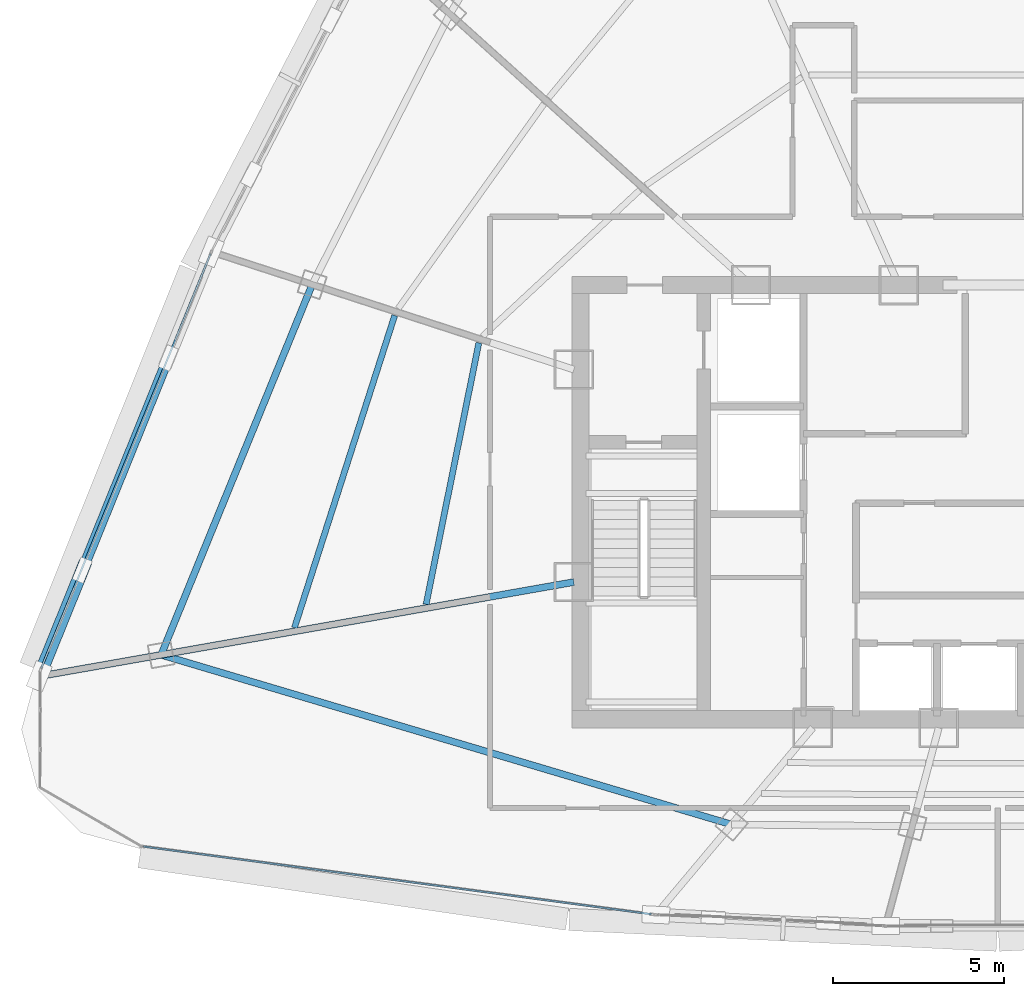
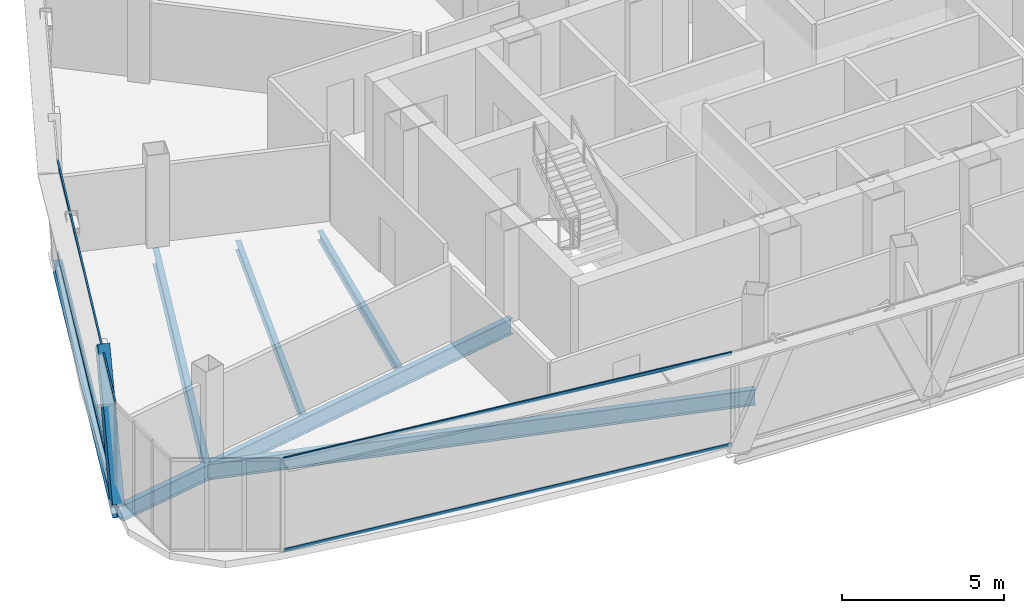
# One storey, part 3 of 28: 6 beams, 5 members, 2 elements without a shape of their own.
"""IFC4 building model written with IfcOpenShell, lengths in metres."""

from ifc_helpers import new_model, si_unit, direction, frame, origin, origin_2d, place, context, subcontext, project, spatial, hollow_rectangle, i_section, extrude, source, transform, mapped, material, layer, layer_set, material_profile, profile_set, type_object, element, aggregate, save


model = new_model("IFC4")

# Units and contexts
model_context = context("Model", 3, precision=1e-05, world=origin(), true_north=direction((0.0, 1.0)))
body_context = subcontext(model_context, "Body", "Model", "MODEL_VIEW")
ifc_project = project(units=[si_unit("LENGTHUNIT", "METRE"), si_unit("AREAUNIT", "SQUARE_METRE"), si_unit("VOLUMEUNIT", "CUBIC_METRE"), si_unit("PLANEANGLEUNIT", "RADIAN"), si_unit("MASSUNIT", "GRAM", prefix="KILO"), si_unit("THERMODYNAMICTEMPERATUREUNIT", "KELVIN"), si_unit("POWERUNIT", "WATT")], contexts=[model_context])

# Site, building, storey
site_placement = place(None, origin())
site = spatial("IfcSite", under=ifc_project, at=site_placement, CompositionType="ELEMENT")
building_placement = place(site_placement, origin())
building = spatial("IfcBuilding", under=site, at=building_placement, Name="Yunzhuo Pagoda Commons", CompositionType="ELEMENT")
storey_placement = place(building_placement, frame((0.0, 0.0, 336.760009765625)))
storey = spatial("IfcBuildingStorey", under=building, at=storey_placement, Name="L84", CompositionType="ELEMENT", Elevation=336.760009765625)

# Beams
ifc_material_1 = material(Name="Structural steel Q355B", Category="steel")
ifc_material_profile_1 = material_profile(ifc_material_1, i_section(OverallWidth=0.199951171875, OverallDepth=0.60009765625, WebThickness=0.010986328125, FlangeThickness=0.01708984375, at=origin_2d()), Name="Structural steel Q355B")
ifc_profile_set_1 = profile_set([ifc_material_profile_1], Name="Structural steel Q355B")
beam_type_1 = type_object("IfcBeamType", Name="B-RG3 Beam HN 600x200x11x17", PredefinedType="BEAM", material=ifc_profile_set_1)
shared_shape_1 = source(origin(), body_context, "Body", "SweptSolid", [
    extrude(i_section(OverallWidth=0.199951171875, OverallDepth=0.60009765625, WebThickness=0.010986328125, FlangeThickness=0.01708984375, at=origin_2d()), origin(), (0.0, 0.0, 1.0), 17.407470703125),
])
beam_1_placement = place(storey_placement, frame((23.52978515625, 29.38525390625, -0.56005859375), z_axis=(0.958484984609, -0.285143006717, 0.0), x_axis=(0.285143006717, 0.958484984609, 0.0)))
element("IfcBeam", 1, at=beam_1_placement, inside=storey, type_object=beam_type_1, Name="L84 column-ring beam 12", PredefinedType="BEAM", context=body_context, shape_type="MappedRepresentation", body=[
    mapped(shared_shape_1, transform((0.0, 0.0, 0.0), scale=1.0)),
])
shared_shape_2 = source(origin(), body_context, "Body", "SweptSolid", [
    extrude(i_section(OverallWidth=0.199951171875, OverallDepth=0.60009765625, WebThickness=0.010986328125, FlangeThickness=0.01708984375, at=origin_2d()), origin(), (0.0, 0.0, 1.0), 11.696533203125),
])
beam_2_placement = place(storey_placement, frame((27.946533203125, 40.2158203125, -0.56005859375), z_axis=(-0.377611800863, -0.925963999219, 0.0), x_axis=(0.925963999219, -0.377611800863, 0.0)))
element("IfcBeam", 2, at=beam_2_placement, inside=storey, type_object=beam_type_1, Name="L84 column-ring beam 11", PredefinedType="BEAM", context=body_context, shape_type="MappedRepresentation", body=[
    mapped(shared_shape_2, transform((0.0, 0.0, 0.0), scale=1.0)),
])
ifc_material_profile_2 = material_profile(ifc_material_1, i_section(OverallWidth=0.175048828125, OverallDepth=0.35009765625, WebThickness=0.007080078125, FlangeThickness=0.010986328125, at=origin_2d()), Name="Structural steel Q355B")
ifc_profile_set_2 = profile_set([ifc_material_profile_2], Name="Structural steel Q355B")
beam_type_2 = type_object("IfcBeamType", Name="B-JS2 Joist HN 350x175x7x11", PredefinedType="JOIST", material=ifc_profile_set_2)
shared_shape_3 = source(origin(), body_context, "Body", "SweptSolid", [
    extrude(i_section(OverallWidth=0.175048828125, OverallDepth=0.35009765625, WebThickness=0.007080078125, FlangeThickness=0.010986328125, at=origin_2d()), origin(), (0.0, 0.0, 1.0), 7.8056640625),
])
beam_3_placement = place(storey_placement, frame((32.822265625, 38.511474609375, -0.43505859375), z_axis=(-0.197890187791, -0.980224195568, 0.0), x_axis=(0.980224195568, -0.197890187791, 0.0)))
element("IfcBeam", 3, at=beam_3_placement, inside=storey, type_object=beam_type_2, Name="L84 composite ring joist 1.11", PredefinedType="JOIST", context=body_context, shape_type="MappedRepresentation", body=[
    mapped(shared_shape_3, transform((0.0, 0.0, 0.0), scale=1.0)),
])
shared_shape_4 = source(origin(), body_context, "Body", "SweptSolid", [
    extrude(i_section(OverallWidth=0.175048828125, OverallDepth=0.35009765625, WebThickness=0.007080078125, FlangeThickness=0.010986328125, at=origin_2d()), origin(), (0.0, 0.0, 1.0), 9.593994140625),
])
beam_4_placement = place(storey_placement, frame((30.360595703125, 39.310546875, -0.43505859375), z_axis=(-0.305719218499, -0.952121714614, 0.0), x_axis=(0.952121714614, -0.305719218499, 0.0)))
element("IfcBeam", 4, at=beam_4_placement, inside=storey, type_object=beam_type_2, Name="L84 composite ring joist 2.11", PredefinedType="JOIST", context=body_context, shape_type="MappedRepresentation", body=[
    mapped(shared_shape_4, transform((0.0, 0.0, 0.0), scale=1.0)),
])
shared_shape_5 = source(origin(), body_context, "Body", "SweptSolid", [
    extrude(i_section(OverallWidth=0.199951171875, OverallDepth=0.60009765625, WebThickness=0.010986328125, FlangeThickness=0.01708984375, at=origin_2d()), origin(), (0.0, 0.0, 1.0), 15.72412109375),
])
beam_5_placement = place(storey_placement, frame((20.11474609375, 28.783203125, -0.56005859375), z_axis=(0.984810587899, 0.173632099459, 0.0), x_axis=(-0.173632099459, 0.984810587899, 0.0)))
element("IfcBeam", 5, at=beam_5_placement, inside=storey, type_object=beam_type_1, Name="L84 radial floor girder F3C4", PredefinedType="BEAM", context=body_context, shape_type="MappedRepresentation", body=[
    mapped(shared_shape_5, transform((0.0, 0.0, 0.0), scale=1.0)),
])
ifc_material_profile_3 = material_profile(ifc_material_1, i_section(OverallWidth=0.300048828125, OverallDepth=0.43994140625, WebThickness=0.010986328125, FlangeThickness=0.01806640625, at=origin_2d()), Name="Structural steel Q355B")
ifc_profile_set_3 = profile_set([ifc_material_profile_3], Name="Structural steel Q355B")
beam_type_3 = type_object("IfcBeamType", Name="B-SP2 Beam HM 440x300x11x18", PredefinedType="BEAM", material=ifc_profile_set_3)
shared_shape_6 = source(origin(), body_context, "Body", "SweptSolid", [
    extrude(i_section(OverallWidth=0.300048828125, OverallDepth=0.43994140625, WebThickness=0.010986328125, FlangeThickness=0.01806640625, at=origin_2d()), origin(), (0.0, 0.0, 1.0), 13.399658203125),
])
beam_6_placement = place(storey_placement, frame((24.9970703125, 41.174072265625, -0.47998046875), z_axis=(-0.3757655854, -0.926714748361, 0.0), x_axis=(0.926714748361, -0.3757655854, 0.0)))
element("IfcBeam", 6, at=beam_6_placement, inside=storey, type_object=beam_type_3, Name="L84 facade edge spandrel beam F3.3", PredefinedType="BEAM", context=body_context, shape_type="MappedRepresentation", body=[
    mapped(shared_shape_6, transform((0.0, 0.0, 0.0), scale=1.0)),
])

# Member
ifc_material_profile_4 = material_profile(ifc_material_1, hollow_rectangle(XDim=0.3798828125, YDim=0.719970703125, WallThickness=0.02001953125, at=origin_2d()), Name="Structural steel Q355B")
ifc_profile_set_4 = profile_set([ifc_material_profile_4], Name="Structural steel Q355B")
member_type_1 = type_object("IfcMemberType", Name="M-DL3 Brace BOX 720x380x20", PredefinedType="BRACE", material=ifc_profile_set_4)
shared_shape_7 = source(origin(), body_context, "Body", "SweptSolid", [
    extrude(hollow_rectangle(XDim=0.3798828125, YDim=0.719970703125, WallThickness=0.02001953125, at=origin_2d()), origin(), (0.0, 0.0, 1.0), 5.0283203125),
])
member_1_placement = place(storey_placement, frame((19.9619140625, 28.75634765625, -0.260009765625), z_axis=(0.250342838864, 0.617360200962, 0.745784717796), x_axis=(-0.92670702987, 0.375784620213, 0.0)))
element("IfcMember", 7, at=member_1_placement, inside=storey, type_object=member_type_1, Name="L84 facade diamond brace F3.3R", PredefinedType="BRACE", context=body_context, shape_type="MappedRepresentation", body=[
    mapped(shared_shape_7, transform((0.0, 0.0, 0.0), scale=1.0)),
])

# Curtain wall, members
ifc_material_2 = material(Name="Anodized aluminium 6063-T6", Category="aluminium")
ifc_layer = layer(ifc_material_2, 0.139892578125)
ifc_layer_set = layer_set([ifc_layer], Name="Anodized aluminium 6063-T6")
curtain_wall_type = type_object("IfcCurtainWallType", Name="CW-HI High-Zone Ribbon Curtain Wall", PredefinedType="NOTDEFINED", material=ifc_layer_set)
curtain_wall_1_placement = place(storey_placement, origin())
curtain_wall_1 = element("IfcCurtainWall", 8, at=curtain_wall_1_placement, inside=storey, type_object=curtain_wall_type, Name="L84 curtain wall CW-L84-F1B1", PredefinedType="NOTDEFINED")
ifc_material_profile_5 = material_profile(ifc_material_2, hollow_rectangle(XDim=0.054931640625, YDim=0.1201171875, WallThickness=0.00341796875, at=origin_2d()), Name="Anodized aluminium 6063-T6")
ifc_profile_set_5 = profile_set([ifc_material_profile_5], Name="Anodized aluminium 6063-T6")
member_type_2 = type_object("IfcMemberType", Name="CW-HI-T Transom RHS 120x55x3.5", PredefinedType="USERDEFINED", material=ifc_profile_set_5)
shared_shape_8 = source(origin(), body_context, "Body", "SweptSolid", [
    extrude(hollow_rectangle(XDim=0.054931640625, YDim=0.1201171875, WallThickness=0.00341796875, at=origin_2d()), origin(), (0.0, 0.0, 1.0), 14.9833984375),
])
member_2_placement = place(storey_placement, frame((23.01318359375, 23.778076171875, 0.027587890625), z_axis=(0.9912411303, -0.132064460024, 0.0), x_axis=(0.132064460024, 0.9912411303, 0.0)))
member_2 = element("IfcMember", 9, at=member_2_placement, type_object=member_type_2, Name="CW transom 1.1", ObjectType="TRANSOM", PredefinedType="USERDEFINED", context=body_context, shape_type="MappedRepresentation", body=[
    mapped(shared_shape_8, transform((0.0, 0.0, 0.0), scale=1.0)),
])
member_3_placement = place(storey_placement, frame((23.01318359375, 23.778076171875, 3.46240234375), z_axis=(0.9912411303, -0.132064460024, 0.0), x_axis=(0.132064460024, 0.9912411303, 0.0)))
member_3 = element("IfcMember", 10, at=member_3_placement, type_object=member_type_2, Name="CW transom 1.2", ObjectType="TRANSOM", PredefinedType="USERDEFINED", context=body_context, shape_type="MappedRepresentation", body=[
    mapped(shared_shape_8, transform((0.0, 0.0, 0.0), scale=1.0)),
])
aggregate(curtain_wall_1, [member_2, member_3])

curtain_wall_2_placement = place(storey_placement, origin())
curtain_wall_2 = element("IfcCurtainWall", 11, at=curtain_wall_2_placement, inside=storey, type_object=curtain_wall_type, Name="L84 curtain wall CW-L84-F3B4", PredefinedType="NOTDEFINED")
shared_shape_9 = source(origin(), body_context, "Body", "SweptSolid", [
    extrude(hollow_rectangle(XDim=0.054931640625, YDim=0.1201171875, WallThickness=0.00341796875, at=origin_2d()), origin(), (0.0, 0.0, 1.0), 13.100830078125),
])
member_4_placement = place(storey_placement, frame((24.974365234375, 41.11865234375, 0.027587890625), z_axis=(-0.378185817001, -0.925729705594, 0.0), x_axis=(0.925729705594, -0.378185817001, 0.0)))
member_4 = element("IfcMember", 12, at=member_4_placement, type_object=member_type_2, Name="CW transom 1.1", ObjectType="TRANSOM", PredefinedType="USERDEFINED", context=body_context, shape_type="MappedRepresentation", body=[
    mapped(shared_shape_9, transform((0.0, 0.0, 0.0), scale=1.0)),
])
member_5_placement = place(storey_placement, frame((24.974365234375, 41.11865234375, 3.46240234375), z_axis=(-0.378185817001, -0.925729705594, 0.0), x_axis=(0.925729705594, -0.378185817001, 0.0)))
member_5 = element("IfcMember", 13, at=member_5_placement, type_object=member_type_2, Name="CW transom 1.2", ObjectType="TRANSOM", PredefinedType="USERDEFINED", context=body_context, shape_type="MappedRepresentation", body=[
    mapped(shared_shape_9, transform((0.0, 0.0, 0.0), scale=1.0)),
])
aggregate(curtain_wall_2, [member_4, member_5])

save(model, "model.ifc")
